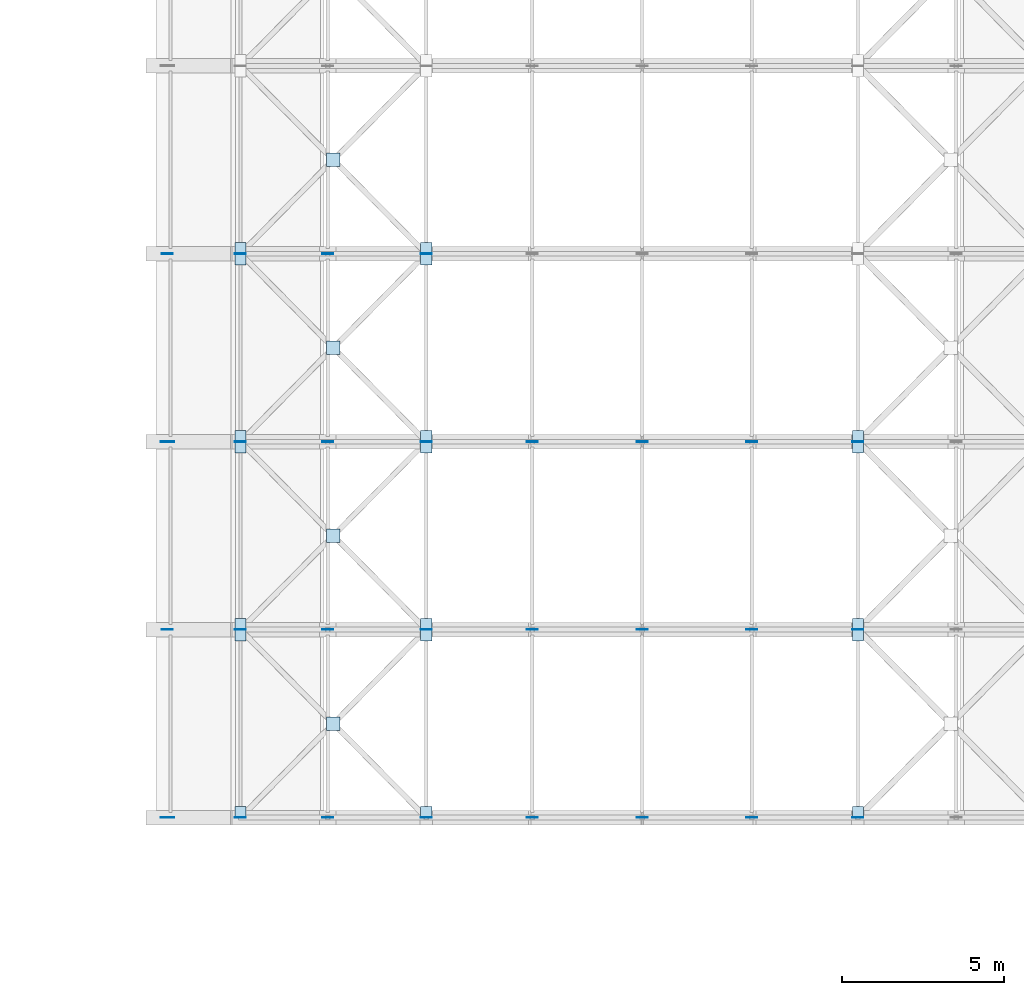
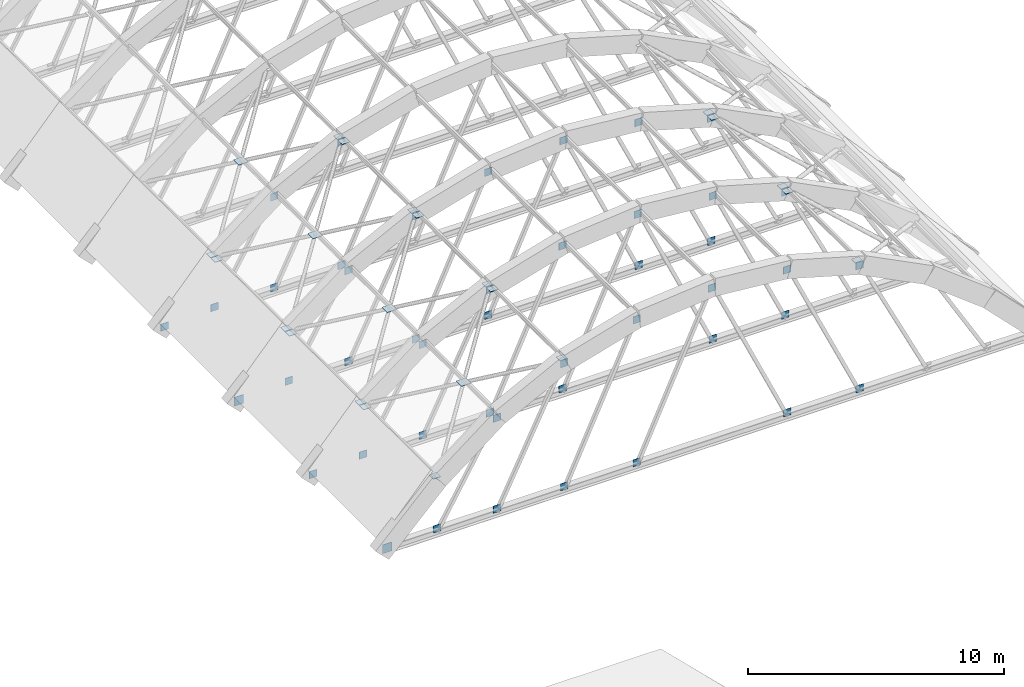
# One storey, part 34 of 81: 68 plates.
"""IFC4 building model written with IfcOpenShell, lengths in metres."""

from ifc_helpers import new_model, si_unit, direction, frame, origin, origin_2d, place, context, subcontext, project, spatial, rectangle, extrude, material, layer, layer_set, type_object, element, save


model = new_model("IFC4")

# Units and contexts
model_context = context("Model", 3, precision=1e-05, world=origin(), true_north=direction((0.0, 1.0)))
body_context = subcontext(model_context, "Body", "Model", "MODEL_VIEW")
ifc_project = project(units=[si_unit("LENGTHUNIT", "METRE"), si_unit("AREAUNIT", "SQUARE_METRE"), si_unit("VOLUMEUNIT", "CUBIC_METRE"), si_unit("PLANEANGLEUNIT", "RADIAN"), si_unit("MASSUNIT", "GRAM", prefix="KILO")], contexts=[model_context])

# Site, building, storey
site_placement = place(None, origin())
site = spatial("IfcSite", under=ifc_project, at=site_placement, CompositionType="ELEMENT")
building_placement = place(site_placement, origin())
building = spatial("IfcBuilding", under=site, at=building_placement, Name="Tanwirah Colonnade Gardens", CompositionType="ELEMENT")
storey_placement = place(building_placement, frame((0.0, 0.0, 8.840087890625)))
storey = spatial("IfcBuildingStorey", under=building, at=storey_placement, Name="L02", CompositionType="ELEMENT", Elevation=8.840087890625)

# Plates
ifc_material = material(Name="Steel S355", Category="steel")
ifc_layer_1 = layer(ifc_material, 0.02001953125)
ifc_layer_set_1 = layer_set([ifc_layer_1], Name="Steel S355")
plate_type_1 = type_object("IfcPlateType", Name="PLT-GUS20", PredefinedType="USERDEFINED", material=ifc_layer_set_1)
for number, where, z_axis, x_axis, name in (
    (1, (80.604736328125, 39.800048828125, -0.27001953125), (0.0, 0.0, 1.0), (1.0, 0.0, 0.0), "Vault Web Lower Node Gusset Plate 1.2"),
    (2, (83.3017578125, 39.800048828125, 4.0615234375), (0.0, 0.0, 1.0), (1.0, 0.0, 0.0), "Vault Web Upper Node Gusset Plate 1.2"),
    (3, (83.3017578125, 39.800048828125, -0.27001953125), (0.0, 0.0, 1.0), (1.0, 0.0, 0.0), "Vault Web Lower Node Gusset Plate 1.3"),
    (4, (86.339111328125, 39.800048828125, 5.6005859375), (0.0, 0.0, 1.0), (1.0, 0.0, 0.0), "Vault Web Upper Node Gusset Plate 1.3"),
    (5, (86.339111328125, 39.800048828125, -0.27001953125), (0.0, 0.0, 1.0), (1.0, 0.0, 0.0), "Vault Web Lower Node Gusset Plate 1.4"),
    (6, (89.610107421875, 39.800048828125, 6.5458984375), (0.0, 0.0, 1.0), (1.0, 0.0, 0.0), "Vault Web Upper Node Gusset Plate 1.4"),
    (7, (89.610107421875, 39.800048828125, -0.27001953125), (0.0, 0.0, 1.0), (1.0, 0.0, 0.0), "Vault Web Lower Node Gusset Plate 1.5"),
    (8, (93.0, 39.800048828125, 6.86474609375), (0.0, 0.0, 1.0), (1.0, 0.0, 0.0), "Vault Web Upper Node Gusset Plate 1.5"),
    (9, (96.389892578125, 39.800048828125, -0.27001953125), (0.0, 0.0, 1.0), (1.0, 0.0, 0.0), "Vault Web Lower Node Gusset Plate 1.6"),
    (10, (99.660888671875, 39.800048828125, -0.27001953125), (0.0, 0.0, 1.0), (1.0, 0.0, 0.0), "Vault Web Lower Node Gusset Plate 1.7"),
    (11, (96.389892578125, 39.800048828125, 6.5458984375), (0.0, 0.0, 1.0), (1.0, 0.0, 0.0), "Vault Web Upper Node Gusset Plate 1.7"),
    (12, (99.660888671875, 39.800048828125, 5.6005859375), (0.0, 0.0, 1.0), (1.0, 0.0, 0.0), "Vault Web Upper Node Gusset Plate 1.8"),
    (13, (80.604736328125, 45.60009765625, -0.27001953125), (0.0, 0.0, 1.0), (1.0, 0.0, 0.0), "Vault Web Lower Node Gusset Plate 2.2"),
    (14, (83.3017578125, 45.60009765625, 4.0615234375), (0.0, 0.0, 1.0), (1.0, 0.0, 0.0), "Vault Web Upper Node Gusset Plate 2.2"),
    (15, (83.3017578125, 45.60009765625, -0.27001953125), (0.0, 0.0, 1.0), (1.0, 0.0, 0.0), "Vault Web Lower Node Gusset Plate 2.3"),
    (16, (86.339111328125, 45.60009765625, 5.6005859375), (0.0, 0.0, 1.0), (1.0, 0.0, 0.0), "Vault Web Upper Node Gusset Plate 2.3"),
    (17, (86.339111328125, 45.60009765625, -0.27001953125), (0.0, 0.0, 1.0), (1.0, 0.0, 0.0), "Vault Web Lower Node Gusset Plate 2.4"),
    (18, (89.610107421875, 45.60009765625, 6.5458984375), (0.0, 0.0, 1.0), (1.0, 0.0, 0.0), "Vault Web Upper Node Gusset Plate 2.4"),
    (19, (89.610107421875, 45.60009765625, -0.27001953125), (0.0, 0.0, 1.0), (1.0, 0.0, 0.0), "Vault Web Lower Node Gusset Plate 2.5"),
    (20, (93.0, 45.60009765625, 6.86474609375), (0.0, 0.0, 1.0), (1.0, 0.0, 0.0), "Vault Web Upper Node Gusset Plate 2.5"),
    (21, (96.389892578125, 45.60009765625, -0.27001953125), (0.0, 0.0, 1.0), (1.0, 0.0, 0.0), "Vault Web Lower Node Gusset Plate 2.6"),
    (22, (99.660888671875, 45.60009765625, -0.27001953125), (0.0, 0.0, 1.0), (1.0, 0.0, 0.0), "Vault Web Lower Node Gusset Plate 2.7"),
    (23, (96.389892578125, 45.60009765625, 6.5458984375), (0.0, 0.0, 1.0), (1.0, 0.0, 0.0), "Vault Web Upper Node Gusset Plate 2.7"),
    (24, (99.660888671875, 45.60009765625, 5.6005859375), (0.0, 0.0, 1.0), (1.0, 0.0, 0.0), "Vault Web Upper Node Gusset Plate 2.8"),
    (25, (78.35009765625, 45.60009765625, -0.41015625), (0.0, 0.0, 1.0), (1.0, 0.0, 0.0), "Vault Arch Gusset Plate 2-W"),
    (26, (80.604736328125, 51.39990234375, -0.27001953125), (0.0, 0.0, 1.0), (1.0, 0.0, 0.0), "Vault Web Lower Node Gusset Plate 3.2"),
    (27, (83.3017578125, 51.39990234375, 4.0615234375), (0.0, 0.0, 1.0), (1.0, 0.0, 0.0), "Vault Web Upper Node Gusset Plate 3.2"),
    (28, (83.3017578125, 51.39990234375, -0.27001953125), (0.0, 0.0, 1.0), (1.0, 0.0, 0.0), "Vault Web Lower Node Gusset Plate 3.3"),
    (29, (86.339111328125, 51.39990234375, 5.6005859375), (0.0, 0.0, 1.0), (1.0, 0.0, 0.0), "Vault Web Upper Node Gusset Plate 3.3"),
    (30, (86.339111328125, 51.39990234375, -0.27001953125), (0.0, 0.0, 1.0), (1.0, 0.0, 0.0), "Vault Web Lower Node Gusset Plate 3.4"),
    (31, (89.610107421875, 51.39990234375, 6.5458984375), (0.0, 0.0, 1.0), (1.0, 0.0, 0.0), "Vault Web Upper Node Gusset Plate 3.4"),
    (32, (89.610107421875, 51.39990234375, -0.27001953125), (0.0, 0.0, 1.0), (1.0, 0.0, 0.0), "Vault Web Lower Node Gusset Plate 3.5"),
    (33, (93.0, 51.39990234375, 6.86474609375), (0.0, 0.0, 1.0), (1.0, 0.0, 0.0), "Vault Web Upper Node Gusset Plate 3.5"),
    (34, (96.389892578125, 51.39990234375, -0.27001953125), (0.0, 0.0, 1.0), (1.0, 0.0, 0.0), "Vault Web Lower Node Gusset Plate 3.6"),
    (35, (99.660888671875, 51.39990234375, -0.27001953125), (0.0, 0.0, 1.0), (1.0, 0.0, 0.0), "Vault Web Lower Node Gusset Plate 3.7"),
    (36, (96.389892578125, 51.39990234375, 6.5458984375), (0.0, 0.0, 1.0), (1.0, 0.0, 0.0), "Vault Web Upper Node Gusset Plate 3.7"),
    (37, (99.660888671875, 51.39990234375, 5.6005859375), (0.0, 0.0, 1.0), (1.0, 0.0, 0.0), "Vault Web Upper Node Gusset Plate 3.8"),
    (38, (80.604736328125, 57.199951171875, -0.27001953125), (0.0, 0.0, 1.0), (1.0, 0.0, 0.0), "Vault Web Lower Node Gusset Plate 4.2"),
    (39, (83.3017578125, 57.199951171875, 4.0615234375), (0.0, 0.0, 1.0), (1.0, 0.0, 0.0), "Vault Web Upper Node Gusset Plate 4.2"),
    (40, (83.3017578125, 57.199951171875, -0.27001953125), (0.0, 0.0, 1.0), (1.0, 0.0, 0.0), "Vault Web Lower Node Gusset Plate 4.3"),
    (41, (86.339111328125, 57.199951171875, 5.6005859375), (0.0, 0.0, 1.0), (1.0, 0.0, 0.0), "Vault Web Upper Node Gusset Plate 4.3"),
    (42, (86.339111328125, 57.199951171875, -0.27001953125), (0.0, 0.0, 1.0), (1.0, 0.0, 0.0), "Vault Web Lower Node Gusset Plate 4.4"),
    (43, (78.35009765625, 57.199951171875, -0.41015625), (0.0, 0.0, 1.0), (1.0, 0.0, 0.0), "Vault Arch Gusset Plate 4-W"),
):
    element("IfcPlate", number, at=place(storey_placement, frame(where, z_axis=z_axis, x_axis=x_axis)), inside=storey, type_object=plate_type_1, Name=name, ObjectType="GUSSET_PLATE", PredefinedType="USERDEFINED", context=body_context, shape_type="SweptSolid", body=[
        extrude(rectangle(XDim=0.340087890625, YDim=0.02001953125, at=origin_2d()), origin(), (0.0, 0.0, 1.0), 0.340087890625),
    ])
for number, where, z_axis, x_axis, name in (
    (44, (80.604736328125, 39.97998046875, 2.283447265625), (0.0, 0.0, 1.0), (1.0, 0.0, 0.0), "Vault Brace End Gusset Plate 1.1A"),
    (45, (86.339111328125, 45.419921875, 5.900634765625), (0.0, 0.0, 1.0), (1.0, 0.0, 0.0), "Vault Brace End Gusset Plate 1.1B"),
    (46, (86.339111328125, 39.97998046875, 5.900634765625), (0.0, 0.0, 1.0), (1.0, 0.0, 0.0), "Vault Brace End Gusset Plate 1.2A"),
    (47, (80.604736328125, 45.419921875, 2.283447265625), (0.0, 0.0, 1.0), (1.0, 0.0, 0.0), "Vault Brace End Gusset Plate 1.2B"),
    (48, (99.660888671875, 39.97998046875, 5.900634765625), (0.0, 0.0, 1.0), (1.0, 0.0, 0.0), "Vault Brace End Gusset Plate 1.3A"),
    (49, (99.660888671875, 45.419921875, 5.900634765625), (0.0, 0.0, 1.0), (1.0, 0.0, 0.0), "Vault Brace End Gusset Plate 1.4B"),
    (50, (80.604736328125, 45.780029296875, 2.283447265625), (0.0, 0.0, 1.0), (1.0, 0.0, 0.0), "Vault Brace End Gusset Plate 2.1A"),
    (51, (86.339111328125, 51.219970703125, 5.900634765625), (0.0, 0.0, 1.0), (1.0, 0.0, 0.0), "Vault Brace End Gusset Plate 2.1B"),
    (52, (86.339111328125, 45.780029296875, 5.900634765625), (0.0, 0.0, 1.0), (1.0, 0.0, 0.0), "Vault Brace End Gusset Plate 2.2A"),
    (53, (80.604736328125, 51.219970703125, 2.283447265625), (0.0, 0.0, 1.0), (1.0, 0.0, 0.0), "Vault Brace End Gusset Plate 2.2B"),
    (54, (99.660888671875, 45.780029296875, 5.900634765625), (0.0, 0.0, 1.0), (1.0, 0.0, 0.0), "Vault Brace End Gusset Plate 2.3A"),
    (55, (99.660888671875, 51.219970703125, 5.900634765625), (0.0, 0.0, 1.0), (1.0, 0.0, 0.0), "Vault Brace End Gusset Plate 2.4B"),
    (56, (80.604736328125, 51.580078125, 2.283447265625), (0.0, 0.0, 1.0), (1.0, 0.0, 0.0), "Vault Brace End Gusset Plate 3.1A"),
    (57, (86.339111328125, 57.02001953125, 5.900634765625), (0.0, 0.0, 1.0), (1.0, 0.0, 0.0), "Vault Brace End Gusset Plate 3.1B"),
    (58, (86.339111328125, 51.580078125, 5.900634765625), (0.0, 0.0, 1.0), (1.0, 0.0, 0.0), "Vault Brace End Gusset Plate 3.2A"),
    (59, (80.604736328125, 57.02001953125, 2.283447265625), (0.0, 0.0, 1.0), (1.0, 0.0, 0.0), "Vault Brace End Gusset Plate 3.2B"),
    (60, (99.660888671875, 51.580078125, 5.900634765625), (0.0, 0.0, 1.0), (1.0, 0.0, 0.0), "Vault Brace End Gusset Plate 3.3A"),
    (61, (80.604736328125, 57.3798828125, 2.283447265625), (0.0, 0.0, 1.0), (1.0, 0.0, 0.0), "Vault Brace End Gusset Plate 4.1A"),
    (62, (86.339111328125, 57.3798828125, 5.900634765625), (0.0, 0.0, 1.0), (1.0, 0.0, 0.0), "Vault Brace End Gusset Plate 4.2A"),
):
    element("IfcPlate", number, at=place(storey_placement, frame(where, z_axis=z_axis, x_axis=x_axis)), inside=storey, type_object=plate_type_1, Name=name, ObjectType="GUSSET_PLATE", PredefinedType="USERDEFINED", context=body_context, shape_type="SweptSolid", body=[
        extrude(rectangle(XDim=0.340087890625, YDim=0.340087890625, at=origin_2d()), origin(), (0.0, 0.0, 1.0), 0.02001953125),
    ])
ifc_layer_2 = layer(ifc_material, 0.02490234375)
ifc_layer_set_2 = layer_set([ifc_layer_2], Name="Steel S355")
plate_type_2 = type_object("IfcPlateType", Name="PLT-GUS25", PredefinedType="USERDEFINED", material=ifc_layer_set_2)
for number, where, z_axis, x_axis, name in (
    (63, (78.35009765625, 39.800048828125, -0.449951171875), (0.0, 0.0, 1.0), (1.0, 0.0, 0.0), "Vault Arch Gusset Plate 1-W"),
    (64, (78.35009765625, 51.39990234375, -0.449951171875), (0.0, 0.0, 1.0), (1.0, 0.0, 0.0), "Vault Arch Gusset Plate 3-W"),
):
    element("IfcPlate", number, at=place(storey_placement, frame(where, z_axis=z_axis, x_axis=x_axis)), inside=storey, type_object=plate_type_2, Name=name, ObjectType="GUSSET_PLATE", PredefinedType="USERDEFINED", context=body_context, shape_type="SweptSolid", body=[
        extrude(rectangle(XDim=0.419921875, YDim=0.02490234375, at=origin_2d()), origin(), (0.0, 0.0, 1.0), 0.419921875),
    ])
for number, where, z_axis, x_axis, name in (
    (65, (83.471923828125, 42.699951171875, 4.089599609375), (0.0, 0.0, 1.0), (1.0, 0.0, 0.0), "Vault X-Brace Crossing Gusset Plate 1-W"),
    (66, (83.471923828125, 48.5, 4.089599609375), (0.0, 0.0, 1.0), (1.0, 0.0, 0.0), "Vault X-Brace Crossing Gusset Plate 2-W"),
    (67, (83.471923828125, 54.300048828125, 4.089599609375), (0.0, 0.0, 1.0), (1.0, 0.0, 0.0), "Vault X-Brace Crossing Gusset Plate 3-W"),
    (68, (83.471923828125, 60.10009765625, 4.089599609375), (0.0, 0.0, 1.0), (1.0, 0.0, 0.0), "Vault X-Brace Crossing Gusset Plate 4-W"),
):
    element("IfcPlate", number, at=place(storey_placement, frame(where, z_axis=z_axis, x_axis=x_axis)), inside=storey, type_object=plate_type_2, Name=name, ObjectType="GUSSET_PLATE", PredefinedType="USERDEFINED", context=body_context, shape_type="SweptSolid", body=[
        extrude(rectangle(XDim=0.419921875, YDim=0.419921875, at=origin_2d()), origin(), (0.0, 0.0, 1.0), 0.02490234375),
    ])

save(model, "model.ifc")
